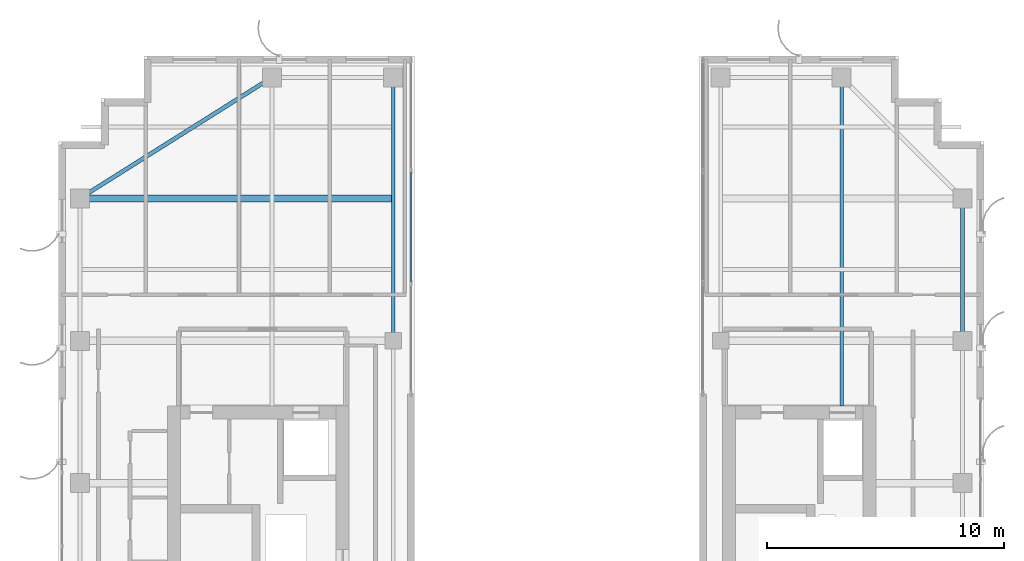
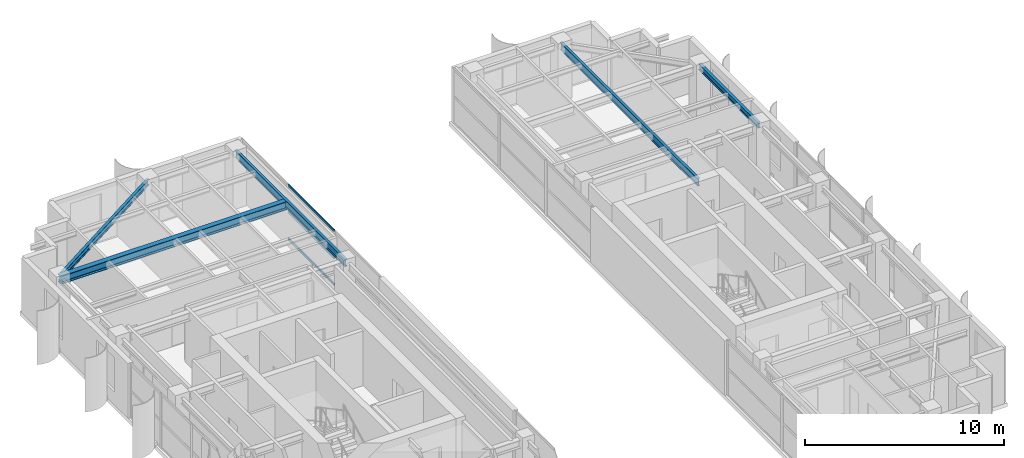
# One storey, part 14 of 24: 5 beams, 3 members, 1 element without a shape of its own.
"""IFC4 building model written with IfcOpenShell, lengths in metres."""

from ifc_helpers import new_model, si_unit, direction, frame, origin, origin_2d, place, context, subcontext, project, spatial, hollow_rectangle, i_section, extrude, source, transform, mapped, material, layer, layer_set, material_profile, profile_set, type_object, element, aggregate, save


model = new_model("IFC4")

# Units and contexts
model_context = context("Model", 3, precision=1e-05, world=origin(), true_north=direction((0.0, 1.0)))
body_context = subcontext(model_context, "Body", "Model", "MODEL_VIEW")
ifc_project = project(units=[si_unit("LENGTHUNIT", "METRE"), si_unit("AREAUNIT", "SQUARE_METRE"), si_unit("VOLUMEUNIT", "CUBIC_METRE"), si_unit("PLANEANGLEUNIT", "RADIAN"), si_unit("MASSUNIT", "GRAM", prefix="KILO")], contexts=[model_context])

# Site, building, storey
site_placement = place(None, origin())
site = spatial("IfcSite", under=ifc_project, at=site_placement, CompositionType="ELEMENT")
building_placement = place(site_placement, origin())
building = spatial("IfcBuilding", under=site, at=building_placement, Name="Khoralis Quay Care Tower", CompositionType="ELEMENT")
storey_placement = place(building_placement, frame((0.0, 0.0, 238.5)))
storey = spatial("IfcBuildingStorey", under=building, at=storey_placement, Name="L62", CompositionType="ELEMENT", Elevation=238.5)

# Beams
ifc_material_1 = material(Name="Steel S355", Category="steel")
ifc_material_profile_1 = material_profile(ifc_material_1, i_section(OverallWidth=0.169921875, OverallDepth=0.360107421875, WebThickness=0.008056640625, FlangeThickness=0.0126953125, FilletRadius=0.01806640625, at=origin_2d()), Name="Steel S355")
ifc_profile_set_1 = profile_set([ifc_material_profile_1], Name="Steel S355")
beam_type_1 = type_object("IfcBeamType", Name="BM-IPE360", PredefinedType="SPANDREL", material=ifc_profile_set_1)
shared_shape_1 = source(origin(), body_context, "Body", "SweptSolid", [
    extrude(i_section(OverallWidth=0.169921875, OverallDepth=0.360107421875, WebThickness=0.008056640625, FlangeThickness=0.0126953125, FilletRadius=0.01806640625, at=origin_2d()), origin(), (0.0, 0.0, 1.0), 6.0),
])
beam_1_placement = place(storey_placement, frame((41.10009765625, 30.0, 3.179931640625), z_axis=(0.0, 1.0, 0.0), x_axis=(-1.0, 0.0, 0.0)))
element("IfcBeam", 1, at=beam_1_placement, inside=storey, type_object=beam_type_1, Name="BM-TSP-L62-12", PredefinedType="SPANDREL", context=body_context, shape_type="MappedRepresentation", body=[
    mapped(shared_shape_1, transform((0.0, 0.0, 0.0), scale=1.0)),
])
shared_shape_2 = source(origin(), body_context, "Body", "SweptSolid", [
    extrude(i_section(OverallWidth=0.169921875, OverallDepth=0.360107421875, WebThickness=0.008056640625, FlangeThickness=0.0126953125, FilletRadius=0.01806640625, at=origin_2d()), origin(), (0.0, 0.0, 1.0), 9.572021484375),
])
beam_2_placement = place(storey_placement, frame((12.0, 41.10009765625, 3.179931640625), z_axis=(-0.846231136359, -0.532815975602, 0.0), x_axis=(0.532815975602, -0.846231136359, 0.0)))
element("IfcBeam", 2, at=beam_2_placement, inside=storey, type_object=beam_type_1, Name="BM-TCR-L62-15", PredefinedType="SPANDREL", context=body_context, shape_type="MappedRepresentation", body=[
    mapped(shared_shape_2, transform((0.0, 0.0, 0.0), scale=1.0)),
])
ifc_material_profile_2 = material_profile(ifc_material_1, i_section(OverallWidth=0.300048828125, OverallDepth=0.5, WebThickness=0.014404296875, FlangeThickness=0.028076171875, FilletRadius=0.027099609375, at=origin_2d()), Name="Steel S355")
ifc_profile_set_2 = profile_set([ifc_material_profile_2], Name="Steel S355")
beam_type_2 = type_object("IfcBeamType", Name="BM-HEB500", PredefinedType="BEAM", material=ifc_profile_set_2)
shared_shape_3 = source(origin(), body_context, "Body", "SweptSolid", [
    extrude(i_section(OverallWidth=0.300048828125, OverallDepth=0.5, WebThickness=0.014404296875, FlangeThickness=0.028076171875, FilletRadius=0.027099609375, at=origin_2d()), origin(), (0.0, 0.0, 1.0), 13.135009765625),
])
beam_3_placement = place(storey_placement, frame((3.89990234375, 36.0, 3.110107421875), z_axis=(1.0, 0.0, 0.0), x_axis=(0.0, 1.0, 0.0)))
element("IfcBeam", 3, at=beam_3_placement, inside=storey, type_object=beam_type_2, Name="BM-TGXW-L62-360", PredefinedType="BEAM", context=body_context, shape_type="MappedRepresentation", body=[
    mapped(shared_shape_3, transform((0.0, 0.0, 0.0), scale=1.0)),
])
ifc_material_profile_3 = material_profile(ifc_material_1, i_section(OverallWidth=0.154052734375, OverallDepth=0.458984375, WebThickness=0.009033203125, FlangeThickness=0.015380859375, FilletRadius=0.014892578125, at=origin_2d()), Name="Steel S355")
ifc_profile_set_3 = profile_set([ifc_material_profile_3], Name="Steel S355")
beam_type_3 = type_object("IfcBeamType", Name="BM-W460X68", PredefinedType="BEAM", material=ifc_profile_set_3)
shared_shape_4 = source(origin(), body_context, "Body", "SweptSolid", [
    extrude(i_section(OverallWidth=0.154052734375, OverallDepth=0.458984375, WebThickness=0.009033203125, FlangeThickness=0.015380859375, FilletRadius=0.014892578125, at=origin_2d()), origin(), (0.0, 0.0, 1.0), 11.10009765625),
])
beam_4_placement = place(storey_placement, frame((17.10009765625, 30.0, 3.130615234375), z_axis=(0.0, 1.0, 0.0), x_axis=(-1.0, 0.0, 0.0)))
element("IfcBeam", 4, at=beam_4_placement, inside=storey, type_object=beam_type_3, Name="BM-TGYN-L62-171", PredefinedType="BEAM", context=body_context, shape_type="MappedRepresentation", body=[
    mapped(shared_shape_4, transform((0.0, 0.0, 0.0), scale=1.0)),
])
shared_shape_5 = source(origin(), body_context, "Body", "SweptSolid", [
    extrude(i_section(OverallWidth=0.154052734375, OverallDepth=0.458984375, WebThickness=0.009033203125, FlangeThickness=0.015380859375, FilletRadius=0.014892578125, at=origin_2d()), origin(), (0.0, 0.0, 1.0), 13.85205078125),
])
beam_5_placement = place(storey_placement, frame((36.0, 27.248046875, 3.130615234375), z_axis=(0.0, 1.0, 0.0), x_axis=(-1.0, 0.0, 0.0)))
element("IfcBeam", 5, at=beam_5_placement, inside=storey, type_object=beam_type_3, Name="BM-TGYN-L62-360", PredefinedType="BEAM", context=body_context, shape_type="MappedRepresentation", body=[
    mapped(shared_shape_5, transform((0.0, 0.0, 0.0), scale=1.0)),
])

# Curtain wall, members
ifc_material_2 = material(Name="Pale anodised aluminium", Category="aluminium")
ifc_layer = layer(ifc_material_2, 0.18994140625)
ifc_layer_set = layer_set([ifc_layer], Name="Pale anodised aluminium")
curtain_wall_type = type_object("IfcCurtainWallType", Name="CW-SYS-PORTAL", PredefinedType="NOTDEFINED", material=ifc_layer_set)
curtain_wall_placement = place(storey_placement, origin())
curtain_wall = element("IfcCurtainWall", 6, at=curtain_wall_placement, inside=storey, type_object=curtain_wall_type, Name="L62 Unitised Curtain Wall CW-VP-L62-P1-N", PredefinedType="NOTDEFINED")
ifc_material_profile_4 = material_profile(ifc_material_2, hollow_rectangle(XDim=0.06005859375, YDim=0.139892578125, WallThickness=0.00390625, at=origin_2d()), Name="Pale anodised aluminium")
ifc_profile_set_4 = profile_set([ifc_material_profile_4], Name="Pale anodised aluminium")
member_type = type_object("IfcMemberType", Name="CW-TRN-140", PredefinedType="USERDEFINED", material=ifc_profile_set_4)
shared_shape_6 = source(origin(), body_context, "Body", "SweptSolid", [
    extrude(hollow_rectangle(XDim=0.06005859375, YDim=0.139892578125, WallThickness=0.00390625, at=origin_2d()), origin(), (0.0, 0.0, 1.0), 4.64013671875),
])
member_1_placement = place(storey_placement, frame((17.85009765625, 32.47998046875, 0.030029296875), z_axis=(0.0, 1.0, 0.0), x_axis=(-1.0, 0.0, 0.0)))
member_1 = element("IfcMember", 7, at=member_1_placement, type_object=member_type, Name="CW4 transom 2.1", ObjectType="TRANSOM", PredefinedType="USERDEFINED", context=body_context, shape_type="MappedRepresentation", body=[
    mapped(shared_shape_6, transform((0.0, 0.0, 0.0), scale=1.0)),
])
member_2_placement = place(storey_placement, frame((17.85009765625, 32.47998046875, 1.679931640625), z_axis=(0.0, 1.0, 0.0), x_axis=(-1.0, 0.0, 0.0)))
member_2 = element("IfcMember", 8, at=member_2_placement, type_object=member_type, Name="CW4 transom 2.2", ObjectType="TRANSOM", PredefinedType="USERDEFINED", context=body_context, shape_type="MappedRepresentation", body=[
    mapped(shared_shape_6, transform((0.0, 0.0, 0.0), scale=1.0)),
])
member_3_placement = place(storey_placement, frame((17.85009765625, 32.47998046875, 3.330078125), z_axis=(0.0, 1.0, 0.0), x_axis=(-1.0, 0.0, 0.0)))
member_3 = element("IfcMember", 9, at=member_3_placement, type_object=member_type, Name="CW4 transom 2.3", ObjectType="TRANSOM", PredefinedType="USERDEFINED", context=body_context, shape_type="MappedRepresentation", body=[
    mapped(shared_shape_6, transform((0.0, 0.0, 0.0), scale=1.0)),
])
aggregate(curtain_wall, [member_1, member_2, member_3])

save(model, "model.ifc")
